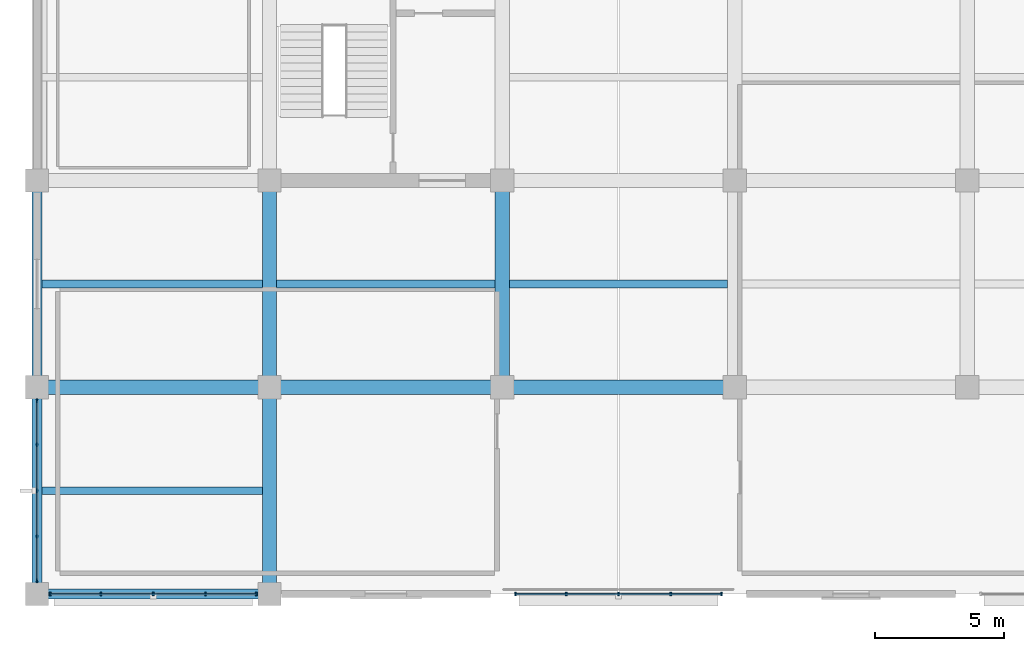
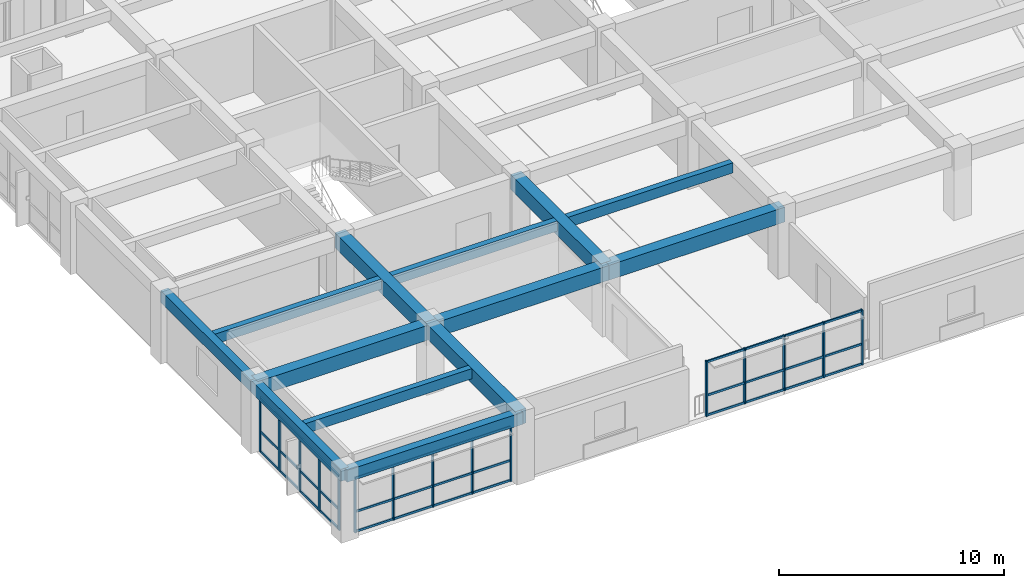
# One storey, part 2 of 16: 24 members, 13 beams, 3 elements without a shape of their own.
"""IFC4 building model written with IfcOpenShell, lengths in metres."""

from ifc_helpers import new_model, si_unit, direction, frame, origin, origin_2d, place, context, subcontext, project, spatial, rectangle, extrude, material, material_profile, profile_set, type_object, element, aggregate, save


model = new_model("IFC4")

# Units and contexts
model_context = context("Model", 3, precision=1e-05, world=origin(), true_north=direction((0.0, 1.0)))
body_context = subcontext(model_context, "Body", "Model", "MODEL_VIEW")
ifc_project = project(units=[si_unit("LENGTHUNIT", "METRE"), si_unit("AREAUNIT", "SQUARE_METRE"), si_unit("VOLUMEUNIT", "CUBIC_METRE"), si_unit("PLANEANGLEUNIT", "RADIAN"), si_unit("MASSUNIT", "GRAM", prefix="KILO")], contexts=[model_context])

# Site, building, storey
site_placement = place(None, origin())
site = spatial("IfcSite", under=ifc_project, at=site_placement, CompositionType="ELEMENT")
building_placement = place(site_placement, origin())
building = spatial("IfcBuilding", under=site, at=building_placement, Name="Zaverband Oceanarium and Marine Research Institute", CompositionType="ELEMENT")
storey_placement = place(building_placement, frame((0.0, 0.0, 25.800048828125)))
storey = spatial("IfcBuildingStorey", under=building, at=storey_placement, Name="L06", CompositionType="ELEMENT", Elevation=25.800048828125)

# Beams
ifc_material_1 = material(Name="Concrete C40/50", Category="concrete")
ifc_material_profile_1 = material_profile(ifc_material_1, rectangle(XDim=0.550048828125, YDim=0.800048828125, at=origin_2d()), Name="RC550x800")
ifc_profile_set_1 = profile_set([ifc_material_profile_1], Name="Concrete C40/50")
beam_type_1 = type_object("IfcBeamType", Name="BM-550x800", PredefinedType="BEAM", material=ifc_profile_set_1)
for number, where, z_axis, x_axis, name in (
    (1, (9.0, 72.0, 3.25), (1.0, 0.0, 0.0), (0.0, 1.0, 0.0), "Primary floor girder BM-550x800"),
    (2, (18.0, 72.0, 3.25), (1.0, 0.0, 0.0), (0.0, 1.0, 0.0), "Primary floor girder BM-550x800"),
    (3, (27.0, 72.0, 3.25), (1.0, 0.0, 0.0), (0.0, 1.0, 0.0), "Primary floor girder BM-550x800"),
):
    element("IfcBeam", number, at=place(storey_placement, frame(where, z_axis=z_axis, x_axis=x_axis)), inside=storey, type_object=beam_type_1, Name=name, PredefinedType="BEAM", context=body_context, shape_type="SweptSolid", body=[
        extrude(rectangle(XDim=0.550048828125, YDim=0.800048828125, at=origin_2d()), origin(), (0.0, 0.0, 1.0), 9.0),
    ])
for number, where, z_axis, x_axis, name in (
    (4, (18.0, 64.0, 3.25), (0.0, 1.0, 0.0), (-1.0, 0.0, 0.0), "Primary floor girder BM-550x800"),
    (5, (18.0, 72.0, 3.25), (0.0, 1.0, 0.0), (-1.0, 0.0, 0.0), "Primary floor girder BM-550x800"),
    (6, (27.0, 72.0, 3.25), (0.0, 1.0, 0.0), (-1.0, 0.0, 0.0), "Primary floor girder BM-550x800"),
):
    element("IfcBeam", number, at=place(storey_placement, frame(where, z_axis=z_axis, x_axis=x_axis)), inside=storey, type_object=beam_type_1, Name=name, PredefinedType="BEAM", context=body_context, shape_type="SweptSolid", body=[
        extrude(rectangle(XDim=0.550048828125, YDim=0.800048828125, at=origin_2d()), origin(), (0.0, 0.0, 1.0), 8.0),
    ])
ifc_material_profile_2 = material_profile(ifc_material_1, rectangle(XDim=0.300048828125, YDim=0.550048828125, at=origin_2d()), Name="RC300x550")
ifc_profile_set_2 = profile_set([ifc_material_profile_2], Name="Concrete C40/50")
beam_type_2 = type_object("IfcBeamType", Name="JST-300x550", PredefinedType="JOIST", material=ifc_profile_set_2)
for number, where, z_axis, x_axis, name in (
    (7, (9.199951171875, 68.0, 3.375), (1.0, 0.0, 0.0), (0.0, 1.0, 0.0), "Secondary floor joist JST-300x550"),
    (8, (9.199951171875, 76.0, 3.375), (1.0, 0.0, 0.0), (0.0, 1.0, 0.0), "Secondary floor joist JST-300x550"),
):
    element("IfcBeam", number, at=place(storey_placement, frame(where, z_axis=z_axis, x_axis=x_axis)), inside=storey, type_object=beam_type_2, Name=name, PredefinedType="JOIST", context=body_context, shape_type="SweptSolid", body=[
        extrude(rectangle(XDim=0.300048828125, YDim=0.550048828125, at=origin_2d()), origin(), (0.0, 0.0, 1.0), 8.525146484375),
    ])
for number, where, z_axis, x_axis, name in (
    (9, (18.27490234375, 76.0, 3.375), (1.0, 0.0, 0.0), (0.0, 1.0, 0.0), "Secondary floor joist JST-300x550"),
    (10, (27.27490234375, 76.0, 3.375), (1.0, 0.0, 0.0), (0.0, 1.0, 0.0), "Secondary floor joist JST-300x550"),
):
    element("IfcBeam", number, at=place(storey_placement, frame(where, z_axis=z_axis, x_axis=x_axis)), inside=storey, type_object=beam_type_2, Name=name, PredefinedType="JOIST", context=body_context, shape_type="SweptSolid", body=[
        extrude(rectangle(XDim=0.300048828125, YDim=0.550048828125, at=origin_2d()), origin(), (0.0, 0.0, 1.0), 8.4501953125),
    ])

# Curtain wall, members
ifc_material_2 = material(Name="Thermally broken anodized aluminium and solar-control glass", Category="aluminium")
curtain_wall_type = type_object("IfcCurtainWallType", Name="CW-UNIT-1800", PredefinedType="NOTDEFINED", material=ifc_material_2)
curtain_wall_1_placement = place(storey_placement, origin())
curtain_wall_1 = element("IfcCurtainWall", 11, at=curtain_wall_1_placement, inside=storey, type_object=curtain_wall_type, Name="Unitised glazed curtain wall CW-076", PredefinedType="NOTDEFINED")
ifc_material_3 = material(Name="Thermally broken anodized aluminium", Category="aluminium")
ifc_material_profile_3 = material_profile(ifc_material_3, rectangle(XDim=0.070068359375, YDim=0.14990234375, at=origin_2d()), Name="AL-MUL-70x150")
ifc_profile_set_3 = profile_set([ifc_material_profile_3], Name="Thermally broken anodized aluminium")
member_type_1 = type_object("IfcMemberType", Name="MUL-70x150", PredefinedType="MULLION", material=ifc_profile_set_3)
member_1_placement = place(storey_placement, frame((9.514892578125, 64.0, 0.0), z_axis=(0.0, 0.0, 1.0), x_axis=(1.0, 0.0, 0.0)))
member_1 = element("IfcMember", 12, at=member_1_placement, type_object=member_type_1, Name="Curtain wall vertical mullion MUL-70x150", PredefinedType="MULLION", context=body_context, shape_type="SweptSolid", body=[
    extrude(rectangle(XDim=0.070068359375, YDim=0.14990234375, at=origin_2d()), origin(), (0.0, 0.0, 1.0), 2.97998046875),
])
member_2_placement = place(storey_placement, frame((11.4775390625, 64.0, 0.0), z_axis=(0.0, 0.0, 1.0), x_axis=(1.0, 0.0, 0.0)))
member_2 = element("IfcMember", 13, at=member_2_placement, type_object=member_type_1, Name="Curtain wall vertical mullion MUL-70x150", PredefinedType="MULLION", context=body_context, shape_type="SweptSolid", body=[
    extrude(rectangle(XDim=0.070068359375, YDim=0.14990234375, at=origin_2d()), origin(), (0.0, 0.0, 1.0), 2.97998046875),
])
member_3_placement = place(storey_placement, frame((13.5, 64.0, 0.0), z_axis=(0.0, 0.0, 1.0), x_axis=(1.0, 0.0, 0.0)))
member_3 = element("IfcMember", 14, at=member_3_placement, type_object=member_type_1, Name="Curtain wall vertical mullion MUL-70x150", PredefinedType="MULLION", context=body_context, shape_type="SweptSolid", body=[
    extrude(rectangle(XDim=0.070068359375, YDim=0.14990234375, at=origin_2d()), origin(), (0.0, 0.0, 1.0), 2.97998046875),
])
member_4_placement = place(storey_placement, frame((15.5224609375, 64.0, 0.0), z_axis=(0.0, 0.0, 1.0), x_axis=(1.0, 0.0, 0.0)))
member_4 = element("IfcMember", 15, at=member_4_placement, type_object=member_type_1, Name="Curtain wall vertical mullion MUL-70x150", PredefinedType="MULLION", context=body_context, shape_type="SweptSolid", body=[
    extrude(rectangle(XDim=0.070068359375, YDim=0.14990234375, at=origin_2d()), origin(), (0.0, 0.0, 1.0), 2.97998046875),
])
member_5_placement = place(storey_placement, frame((17.485107421875, 64.0, 0.0), z_axis=(0.0, 0.0, 1.0), x_axis=(1.0, 0.0, 0.0)))
member_5 = element("IfcMember", 16, at=member_5_placement, type_object=member_type_1, Name="Curtain wall vertical mullion MUL-70x150", PredefinedType="MULLION", context=body_context, shape_type="SweptSolid", body=[
    extrude(rectangle(XDim=0.070068359375, YDim=0.14990234375, at=origin_2d()), origin(), (0.0, 0.0, 1.0), 2.97998046875),
])

curtain_wall_2_placement = place(storey_placement, origin())
curtain_wall_2 = element("IfcCurtainWall", 17, at=curtain_wall_2_placement, inside=storey, type_object=curtain_wall_type, Name="Unitised glazed curtain wall CW-077", PredefinedType="NOTDEFINED")
member_6_placement = place(storey_placement, frame((27.514892578125, 64.0, 0.0), z_axis=(0.0, 0.0, 1.0), x_axis=(1.0, 0.0, 0.0)))
member_6 = element("IfcMember", 18, at=member_6_placement, type_object=member_type_1, Name="Curtain wall vertical mullion MUL-70x150", PredefinedType="MULLION", context=body_context, shape_type="SweptSolid", body=[
    extrude(rectangle(XDim=0.070068359375, YDim=0.14990234375, at=origin_2d()), origin(), (0.0, 0.0, 1.0), 2.97998046875),
])
member_7_placement = place(storey_placement, frame((29.4775390625, 64.0, 0.0), z_axis=(0.0, 0.0, 1.0), x_axis=(1.0, 0.0, 0.0)))
member_7 = element("IfcMember", 19, at=member_7_placement, type_object=member_type_1, Name="Curtain wall vertical mullion MUL-70x150", PredefinedType="MULLION", context=body_context, shape_type="SweptSolid", body=[
    extrude(rectangle(XDim=0.070068359375, YDim=0.14990234375, at=origin_2d()), origin(), (0.0, 0.0, 1.0), 2.97998046875),
])
member_8_placement = place(storey_placement, frame((31.5, 64.0, 0.0), z_axis=(0.0, 0.0, 1.0), x_axis=(1.0, 0.0, 0.0)))
member_8 = element("IfcMember", 20, at=member_8_placement, type_object=member_type_1, Name="Curtain wall vertical mullion MUL-70x150", PredefinedType="MULLION", context=body_context, shape_type="SweptSolid", body=[
    extrude(rectangle(XDim=0.070068359375, YDim=0.14990234375, at=origin_2d()), origin(), (0.0, 0.0, 1.0), 2.97998046875),
])
member_9_placement = place(storey_placement, frame((33.5224609375, 64.0, 0.0), z_axis=(0.0, 0.0, 1.0), x_axis=(1.0, 0.0, 0.0)))
member_9 = element("IfcMember", 21, at=member_9_placement, type_object=member_type_1, Name="Curtain wall vertical mullion MUL-70x150", PredefinedType="MULLION", context=body_context, shape_type="SweptSolid", body=[
    extrude(rectangle(XDim=0.070068359375, YDim=0.14990234375, at=origin_2d()), origin(), (0.0, 0.0, 1.0), 2.97998046875),
])
member_10_placement = place(storey_placement, frame((35.485107421875, 64.0, 0.0), z_axis=(0.0, 0.0, 1.0), x_axis=(1.0, 0.0, 0.0)))
member_10 = element("IfcMember", 22, at=member_10_placement, type_object=member_type_1, Name="Curtain wall vertical mullion MUL-70x150", PredefinedType="MULLION", context=body_context, shape_type="SweptSolid", body=[
    extrude(rectangle(XDim=0.070068359375, YDim=0.14990234375, at=origin_2d()), origin(), (0.0, 0.0, 1.0), 2.97998046875),
])

curtain_wall_3_placement = place(storey_placement, origin())
curtain_wall_3 = element("IfcCurtainWall", 23, at=curtain_wall_3_placement, inside=storey, type_object=curtain_wall_type, Name="Unitised glazed curtain wall CW-082", PredefinedType="NOTDEFINED")
member_11_placement = place(storey_placement, frame((9.0, 64.514892578125, 0.0), z_axis=(0.0, 0.0, 1.0), x_axis=(1.0, 0.0, 0.0)))
member_11 = element("IfcMember", 24, at=member_11_placement, type_object=member_type_1, Name="Curtain wall vertical mullion MUL-70x150", PredefinedType="MULLION", context=body_context, shape_type="SweptSolid", body=[
    extrude(rectangle(XDim=0.070068359375, YDim=0.14990234375, at=origin_2d()), origin(), (0.0, 0.0, 1.0), 2.97998046875),
])
member_12_placement = place(storey_placement, frame((9.0, 66.2275390625, 0.0), z_axis=(0.0, 0.0, 1.0), x_axis=(1.0, 0.0, 0.0)))
member_12 = element("IfcMember", 25, at=member_12_placement, type_object=member_type_1, Name="Curtain wall vertical mullion MUL-70x150", PredefinedType="MULLION", context=body_context, shape_type="SweptSolid", body=[
    extrude(rectangle(XDim=0.070068359375, YDim=0.14990234375, at=origin_2d()), origin(), (0.0, 0.0, 1.0), 2.97998046875),
])
member_13_placement = place(storey_placement, frame((9.0, 68.0, 0.0), z_axis=(0.0, 0.0, 1.0), x_axis=(1.0, 0.0, 0.0)))
member_13 = element("IfcMember", 26, at=member_13_placement, type_object=member_type_1, Name="Curtain wall vertical mullion MUL-70x150", PredefinedType="MULLION", context=body_context, shape_type="SweptSolid", body=[
    extrude(rectangle(XDim=0.070068359375, YDim=0.14990234375, at=origin_2d()), origin(), (0.0, 0.0, 1.0), 2.97998046875),
])
member_14_placement = place(storey_placement, frame((9.0, 69.7724609375, 0.0), z_axis=(0.0, 0.0, 1.0), x_axis=(1.0, 0.0, 0.0)))
member_14 = element("IfcMember", 27, at=member_14_placement, type_object=member_type_1, Name="Curtain wall vertical mullion MUL-70x150", PredefinedType="MULLION", context=body_context, shape_type="SweptSolid", body=[
    extrude(rectangle(XDim=0.070068359375, YDim=0.14990234375, at=origin_2d()), origin(), (0.0, 0.0, 1.0), 2.97998046875),
])
member_15_placement = place(storey_placement, frame((9.0, 71.485107421875, 0.0), z_axis=(0.0, 0.0, 1.0), x_axis=(1.0, 0.0, 0.0)))
member_15 = element("IfcMember", 28, at=member_15_placement, type_object=member_type_1, Name="Curtain wall vertical mullion MUL-70x150", PredefinedType="MULLION", context=body_context, shape_type="SweptSolid", body=[
    extrude(rectangle(XDim=0.070068359375, YDim=0.14990234375, at=origin_2d()), origin(), (0.0, 0.0, 1.0), 2.97998046875),
])

# Beams
ifc_material_profile_4 = material_profile(ifc_material_1, rectangle(XDim=0.39990234375, YDim=0.64990234375, at=origin_2d()), Name="RC400x650")
ifc_profile_set_4 = profile_set([ifc_material_profile_4], Name="Concrete C40/50")
beam_type_3 = type_object("IfcBeamType", Name="SPN-400x650", PredefinedType="SPANDREL", material=ifc_profile_set_4)
beam_placement = place(storey_placement, frame((9.0, 64.0, 3.324951171875), z_axis=(1.0, 0.0, 0.0), x_axis=(0.0, 1.0, 0.0)))
element("IfcBeam", 29, at=beam_placement, inside=storey, type_object=beam_type_3, Name="Perimeter spandrel beam SPN-400x650", PredefinedType="SPANDREL", context=body_context, shape_type="SweptSolid", body=[
    extrude(rectangle(XDim=0.39990234375, YDim=0.64990234375, at=origin_2d()), origin(), (0.0, 0.0, 1.0), 9.0),
])
for number, where, z_axis, x_axis, name in (
    (30, (9.0, 64.0, 3.324951171875), (0.0, 1.0, 0.0), (-1.0, 0.0, 0.0), "Perimeter spandrel beam SPN-400x650"),
    (31, (9.0, 72.0, 3.324951171875), (0.0, 1.0, 0.0), (-1.0, 0.0, 0.0), "Perimeter spandrel beam SPN-400x650"),
):
    element("IfcBeam", number, at=place(storey_placement, frame(where, z_axis=z_axis, x_axis=x_axis)), inside=storey, type_object=beam_type_3, Name=name, PredefinedType="SPANDREL", context=body_context, shape_type="SweptSolid", body=[
        extrude(rectangle(XDim=0.39990234375, YDim=0.64990234375, at=origin_2d()), origin(), (0.0, 0.0, 1.0), 8.0),
    ])

# Member
ifc_material_profile_5 = material_profile(ifc_material_3, rectangle(XDim=0.070068359375, YDim=0.114990234375, at=origin_2d()), Name="AL-TRN-70x115")
ifc_profile_set_5 = profile_set([ifc_material_profile_5], Name="Thermally broken anodized aluminium")
member_type_2 = type_object("IfcMemberType", Name="TRN-70x115", PredefinedType="USERDEFINED", material=ifc_profile_set_5)
member_16_placement = place(storey_placement, frame((9.514892578125, 64.0, 0.050048828125), z_axis=(1.0, 0.0, 0.0), x_axis=(0.0, 1.0, 0.0)))
member_16 = element("IfcMember", 32, at=member_16_placement, type_object=member_type_2, Name="Curtain wall horizontal transom TRN-70x115", ObjectType="TRANSOM", PredefinedType="USERDEFINED", context=body_context, shape_type="SweptSolid", body=[
    extrude(rectangle(XDim=0.070068359375, YDim=0.114990234375, at=origin_2d()), origin(), (0.0, 0.0, 1.0), 7.97021484375),
])

member_17_placement = place(storey_placement, frame((9.514892578125, 64.0, 1.123046875), z_axis=(1.0, 0.0, 0.0), x_axis=(0.0, 1.0, 0.0)))
member_17 = element("IfcMember", 33, at=member_17_placement, type_object=member_type_2, Name="Curtain wall horizontal transom TRN-70x115", ObjectType="TRANSOM", PredefinedType="USERDEFINED", context=body_context, shape_type="SweptSolid", body=[
    extrude(rectangle(XDim=0.070068359375, YDim=0.114990234375, at=origin_2d()), origin(), (0.0, 0.0, 1.0), 7.97021484375),
])

member_18_placement = place(storey_placement, frame((9.514892578125, 64.0, 2.929931640625), z_axis=(1.0, 0.0, 0.0), x_axis=(0.0, 1.0, 0.0)))
member_18 = element("IfcMember", 34, at=member_18_placement, type_object=member_type_2, Name="Curtain wall horizontal transom TRN-70x115", ObjectType="TRANSOM", PredefinedType="USERDEFINED", context=body_context, shape_type="SweptSolid", body=[
    extrude(rectangle(XDim=0.070068359375, YDim=0.114990234375, at=origin_2d()), origin(), (0.0, 0.0, 1.0), 7.97021484375),
])

aggregate(curtain_wall_1, [member_1, member_2, member_3, member_4, member_5, member_16, member_17, member_18])

member_19_placement = place(storey_placement, frame((27.514892578125, 64.0, 0.050048828125), z_axis=(1.0, 0.0, 0.0), x_axis=(0.0, 1.0, 0.0)))
member_19 = element("IfcMember", 35, at=member_19_placement, type_object=member_type_2, Name="Curtain wall horizontal transom TRN-70x115", ObjectType="TRANSOM", PredefinedType="USERDEFINED", context=body_context, shape_type="SweptSolid", body=[
    extrude(rectangle(XDim=0.070068359375, YDim=0.114990234375, at=origin_2d()), origin(), (0.0, 0.0, 1.0), 7.97021484375),
])

member_20_placement = place(storey_placement, frame((27.514892578125, 64.0, 1.123046875), z_axis=(1.0, 0.0, 0.0), x_axis=(0.0, 1.0, 0.0)))
member_20 = element("IfcMember", 36, at=member_20_placement, type_object=member_type_2, Name="Curtain wall horizontal transom TRN-70x115", ObjectType="TRANSOM", PredefinedType="USERDEFINED", context=body_context, shape_type="SweptSolid", body=[
    extrude(rectangle(XDim=0.070068359375, YDim=0.114990234375, at=origin_2d()), origin(), (0.0, 0.0, 1.0), 7.97021484375),
])

member_21_placement = place(storey_placement, frame((27.514892578125, 64.0, 2.929931640625), z_axis=(1.0, 0.0, 0.0), x_axis=(0.0, 1.0, 0.0)))
member_21 = element("IfcMember", 37, at=member_21_placement, type_object=member_type_2, Name="Curtain wall horizontal transom TRN-70x115", ObjectType="TRANSOM", PredefinedType="USERDEFINED", context=body_context, shape_type="SweptSolid", body=[
    extrude(rectangle(XDim=0.070068359375, YDim=0.114990234375, at=origin_2d()), origin(), (0.0, 0.0, 1.0), 7.97021484375),
])

aggregate(curtain_wall_2, [member_6, member_7, member_8, member_9, member_10, member_19, member_20, member_21])

member_22_placement = place(storey_placement, frame((9.0, 64.514892578125, 0.050048828125), z_axis=(0.0, 1.0, 0.0), x_axis=(-1.0, 0.0, 0.0)))
member_22 = element("IfcMember", 38, at=member_22_placement, type_object=member_type_2, Name="Curtain wall horizontal transom TRN-70x115", ObjectType="TRANSOM", PredefinedType="USERDEFINED", context=body_context, shape_type="SweptSolid", body=[
    extrude(rectangle(XDim=0.070068359375, YDim=0.114990234375, at=origin_2d()), origin(), (0.0, 0.0, 1.0), 6.97021484375),
])

member_23_placement = place(storey_placement, frame((9.0, 64.514892578125, 1.123046875), z_axis=(0.0, 1.0, 0.0), x_axis=(-1.0, 0.0, 0.0)))
member_23 = element("IfcMember", 39, at=member_23_placement, type_object=member_type_2, Name="Curtain wall horizontal transom TRN-70x115", ObjectType="TRANSOM", PredefinedType="USERDEFINED", context=body_context, shape_type="SweptSolid", body=[
    extrude(rectangle(XDim=0.070068359375, YDim=0.114990234375, at=origin_2d()), origin(), (0.0, 0.0, 1.0), 6.97021484375),
])

member_24_placement = place(storey_placement, frame((9.0, 64.514892578125, 2.929931640625), z_axis=(0.0, 1.0, 0.0), x_axis=(-1.0, 0.0, 0.0)))
member_24 = element("IfcMember", 40, at=member_24_placement, type_object=member_type_2, Name="Curtain wall horizontal transom TRN-70x115", ObjectType="TRANSOM", PredefinedType="USERDEFINED", context=body_context, shape_type="SweptSolid", body=[
    extrude(rectangle(XDim=0.070068359375, YDim=0.114990234375, at=origin_2d()), origin(), (0.0, 0.0, 1.0), 6.97021484375),
])

aggregate(curtain_wall_3, [member_11, member_12, member_13, member_14, member_15, member_22, member_23, member_24])

save(model, "model.ifc")
